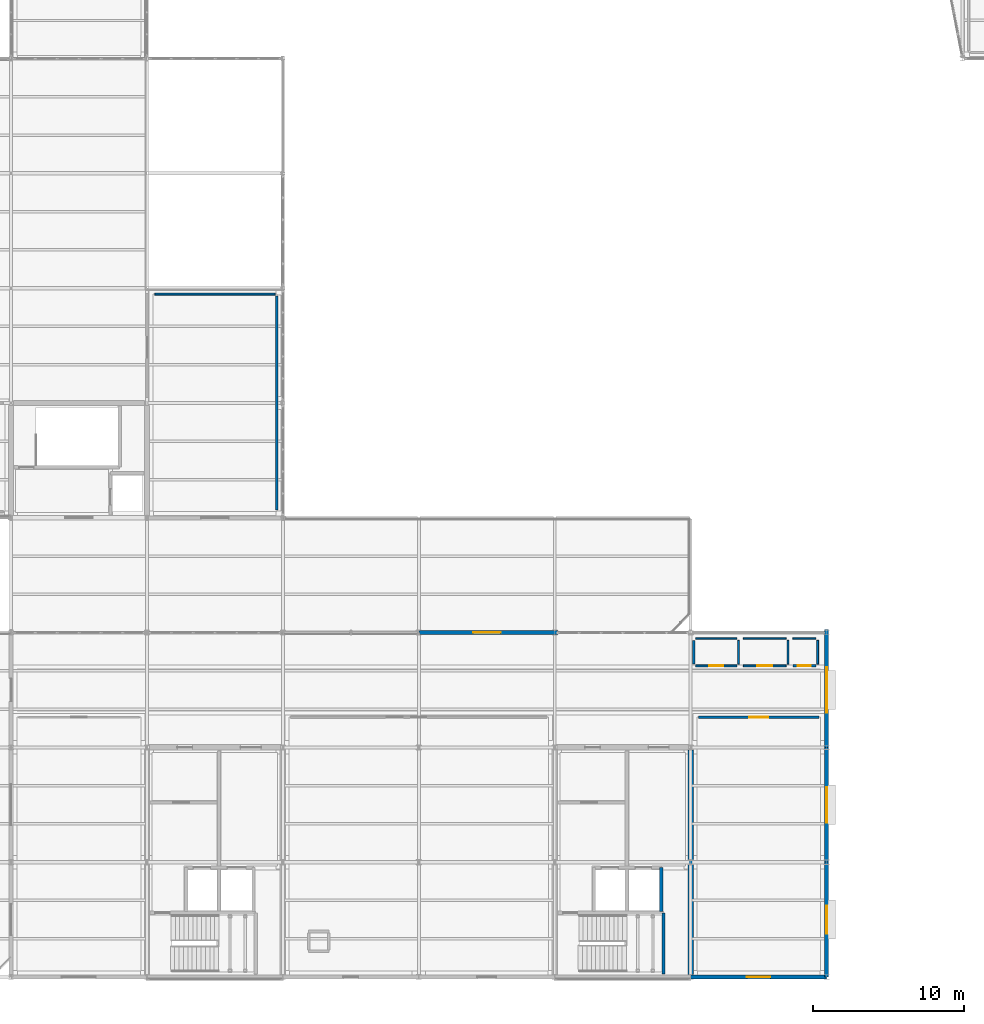
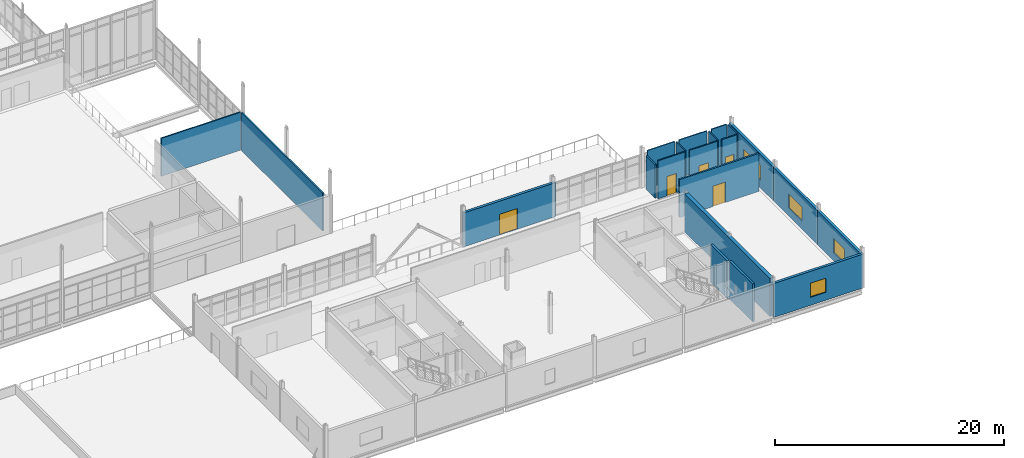
# One storey, part 153 of 166: 21 walls, 5 doors, 4 windows, 9 openings.
"""IFC4 building model written with IfcOpenShell, lengths in metres."""

from ifc_helpers import new_model, si_unit, direction, frame, frame_2d, origin, place, context, subcontext, project, spatial, rectangle, extrude, material, layer, layer_set, type_object, element, fill, save


model = new_model("IFC4")

# Units and contexts
model_context = context("Model", 3, precision=1e-05, world=origin(), true_north=direction((0.0, 1.0)))
body_context = subcontext(model_context, "Body", "Model", "MODEL_VIEW")
ifc_project = project(units=[si_unit("LENGTHUNIT", "METRE"), si_unit("AREAUNIT", "SQUARE_METRE"), si_unit("VOLUMEUNIT", "CUBIC_METRE"), si_unit("PLANEANGLEUNIT", "RADIAN"), si_unit("MASSUNIT", "GRAM", prefix="KILO")], contexts=[model_context])

# Site, building, storey
site_placement = place(None, origin())
site = spatial("IfcSite", under=ifc_project, at=site_placement, CompositionType="ELEMENT")
building_placement = place(site_placement, origin())
building = spatial("IfcBuilding", under=site, at=building_placement, Name="Caisbarro Railhouse Central Library", CompositionType="ELEMENT")
storey_placement = place(building_placement, frame((0.0, 0.0, 9.360107421875)))
storey = spatial("IfcBuildingStorey", under=building, at=storey_placement, Name="L02", CompositionType="ELEMENT", Elevation=9.360107421875)

# Wall
ifc_material_1 = material(Name="Concrete C40", Category="concrete")
ifc_layer_1 = layer(ifc_material_1, 0.35009765625, Name="Concrete C40")
ifc_layer_set_1 = layer_set([ifc_layer_1], Name="Concrete C40")
wall_type_1 = type_object("IfcWallType", Name="WAL-CW35", PredefinedType="SHEAR", material=ifc_layer_set_1)
wall_1_placement = place(storey_placement, frame((99.0, 0.159912109375, 0.0), z_axis=(0.0, 0.0, 1.0), x_axis=(0.0, 1.0, 0.0)))
element("IfcWall", 1, at=wall_1_placement, inside=storey, type_object=wall_type_1, Name="CW35 RC core shear wall L02 #31", PredefinedType="SHEAR", context=body_context, shape_type="SweptSolid", body=[
    extrude(rectangle(XDim=14.880126953125, YDim=0.35009765625, at=frame_2d((7.43994140625, 0.0))), origin(), (0.0, 0.0, 1.0), 4.039794921875),
])

# Wall, opening, door
ifc_material_2 = material(Name="Concrete C35 insulated architectural precast", Category="concrete")
ifc_layer_2 = layer(ifc_material_2, 0.260009765625, Name="Concrete C35 insulated architectural precast")
ifc_layer_set_2 = layer_set([ifc_layer_2], Name="Concrete C35 insulated architectural precast")
wall_type_2 = type_object("IfcWallType", Name="WAL-EW26", PredefinedType="STANDARD", material=ifc_layer_set_2)
wall_2_placement = place(storey_placement, frame((81.0, 22.800048828125, 0.0), z_axis=(0.0, 0.0, 1.0), x_axis=(1.0, 0.0, 0.0)))
wall_2 = element("IfcWall", 2, at=wall_2_placement, inside=storey, type_object=wall_type_2, Name="EW26 exterior wall L02 #96", PredefinedType="STANDARD", context=body_context, shape_type="SweptSolid", body=[
    extrude(rectangle(XDim=9.2099609375, YDim=0.260009765625, at=frame_2d((4.60498046875, 0.0))), origin(), (0.0, 0.0, 1.0), 3.61083984375),
])
opening_1_placement = place(wall_2_placement, frame((3.590087890625, 0.0, 0.0)))
opening_1 = element("IfcOpeningElement", 3, at=opening_1_placement, cuts=wall_2, Name="Opening TD01", PredefinedType="OPENING", context=body_context, shape_type="SweptSolid", body=[
    extrude(rectangle(XDim=1.820068359375, YDim=2.199951171875, at=frame_2d((0.91015625, 1.10009765625))), frame((0.0, 0.14013671875, 0.0), z_axis=(0.0, -1.0, 0.0), x_axis=(1.0, 0.0, 0.0)), (0.0, 0.0, 1.0), 0.280029296875),
])
ifc_material_3 = material(Name="Thermally broken anodised aluminium and safety glass", Category="aluminium")
door_type_1 = type_object("IfcDoorType", Name="DR-TD01", OperationType="NOTDEFINED", PredefinedType="DOOR", material=ifc_material_3)
door_1_placement = place(opening_1_placement, origin())
door_1 = element("IfcDoor", 4, at=door_1_placement, inside=storey, type_object=door_type_1, Name="Terrace Door TD01 L02-21", OperationType="SINGLE_SWING_RIGHT", OverallHeight=2.199951171875, OverallWidth=1.820068359375, PredefinedType="DOOR", context=body_context, shape_type="SweptSolid", body=[
    extrude(rectangle(XDim=1.820068359375, YDim=2.199951171875, at=frame_2d((0.91015625, 1.10009765625))), frame((0.0, 0.02490234375, 0.0), z_axis=(0.0, -1.0, 0.0), x_axis=(1.0, 0.0, 0.0)), (0.0, 0.0, 1.0), 0.050048828125),
])
fill(opening_1, door_1)

# Wall, opening, window
wall_3_placement = place(storey_placement, frame((99.0, 0.0, 0.0), z_axis=(0.0, 0.0, 1.0), x_axis=(1.0, 0.0, 0.0)))
wall_3 = element("IfcWall", 5, at=wall_3_placement, inside=storey, type_object=wall_type_2, Name="EW26 exterior wall L02 #98", PredefinedType="STANDARD", context=body_context, shape_type="SweptSolid", body=[
    extrude(rectangle(XDim=9.0, YDim=0.260009765625, at=frame_2d((4.5, 0.0))), origin(), (0.0, 0.0, 1.0), 3.61083984375),
])
opening_2_placement = place(wall_3_placement, frame((3.72509765625, 0.0, 0.85009765625)))
opening_2 = element("IfcOpeningElement", 6, at=opening_2_placement, cuts=wall_3, Name="Opening W22", PredefinedType="OPENING", context=body_context, shape_type="SweptSolid", body=[
    extrude(rectangle(XDim=1.550048828125, YDim=1.5, at=frame_2d((0.77490234375, 0.75))), frame((0.0, 0.14013671875, 0.0), z_axis=(0.0, -1.0, 0.0), x_axis=(1.0, 0.0, 0.0)), (0.0, 0.0, 1.0), 0.280029296875),
])
ifc_material_4 = material(Name="Double low-e laminated solar-control glass", Category="glass")
window_type_1 = type_object("IfcWindowType", Name="WIN-W22", PartitioningType="SINGLE_PANEL", PredefinedType="WINDOW", material=ifc_material_4)
window_1_placement = place(opening_2_placement, origin())
window_1 = element("IfcWindow", 7, at=window_1_placement, inside=storey, type_object=window_type_1, Name="W22 window L02-021", OverallHeight=1.5, OverallWidth=1.550048828125, PartitioningType="SINGLE_PANEL", PredefinedType="WINDOW", context=body_context, shape_type="SweptSolid", body=[
    extrude(rectangle(XDim=1.550048828125, YDim=1.5, at=frame_2d((0.77490234375, 0.75))), frame((0.0, 0.030029296875, 0.0), z_axis=(0.0, -1.0, 0.0), x_axis=(1.0, 0.0, 0.0)), (0.0, 0.0, 1.0), 0.06005859375),
])
fill(opening_2, window_1)

wall_4_placement = place(storey_placement, frame((108.0, 0.0, 0.0), z_axis=(0.0, 0.0, 1.0), x_axis=(0.0, 1.0, 0.0)))
wall_4 = element("IfcWall", 8, at=wall_4_placement, inside=storey, type_object=wall_type_2, Name="EW26 exterior wall L02 #99", PredefinedType="STANDARD", context=body_context, shape_type="SweptSolid", body=[
    extrude(rectangle(XDim=7.60009765625, YDim=0.260009765625, at=frame_2d((3.800048828125, 0.0))), origin(), (0.0, 0.0, 1.0), 3.598876953125),
])
opening_3_placement = place(wall_4_placement, frame((2.875, 0.0, 0.85009765625)))
opening_3 = element("IfcOpeningElement", 9, at=opening_3_placement, cuts=wall_4, Name="Opening W23", PredefinedType="OPENING", context=body_context, shape_type="SweptSolid", body=[
    extrude(rectangle(XDim=1.85009765625, YDim=1.5, at=frame_2d((0.925048828125, 0.75))), frame((0.0, 0.14013671875, 0.0), z_axis=(0.0, -1.0, 0.0), x_axis=(1.0, 0.0, 0.0)), (0.0, 0.0, 1.0), 0.280029296875),
])
window_type_2 = type_object("IfcWindowType", Name="WIN-W23", PartitioningType="SINGLE_PANEL", PredefinedType="WINDOW", material=ifc_material_4)
window_2_placement = place(opening_3_placement, origin())
window_2 = element("IfcWindow", 10, at=window_2_placement, inside=storey, type_object=window_type_2, Name="W23 window L02-022", OverallHeight=1.5, OverallWidth=1.85009765625, PartitioningType="SINGLE_PANEL", PredefinedType="WINDOW", context=body_context, shape_type="SweptSolid", body=[
    extrude(rectangle(XDim=1.85009765625, YDim=1.5, at=frame_2d((0.925048828125, 0.75))), frame((0.0, 0.030029296875, 0.0), z_axis=(0.0, -1.0, 0.0), x_axis=(1.0, 0.0, 0.0)), (0.0, 0.0, 1.0), 0.06005859375),
])
fill(opening_3, window_2)

wall_5_placement = place(storey_placement, frame((108.0, 7.60009765625, 0.0), z_axis=(0.0, 0.0, 1.0), x_axis=(0.0, 1.0, 0.0)))
wall_5 = element("IfcWall", 11, at=wall_5_placement, inside=storey, type_object=wall_type_2, Name="EW26 exterior wall L02 #101", PredefinedType="STANDARD", context=body_context, shape_type="SweptSolid", body=[
    extrude(rectangle(XDim=7.599853515625, YDim=0.260009765625, at=frame_2d((3.7998046875, 0.0))), origin(), (0.0, 0.0, 1.0), 3.598876953125),
])
opening_4_placement = place(wall_5_placement, frame((2.625, 0.0, 0.85009765625)))
opening_4 = element("IfcOpeningElement", 12, at=opening_4_placement, cuts=wall_5, Name="Opening W25", PredefinedType="OPENING", context=body_context, shape_type="SweptSolid", body=[
    extrude(rectangle(XDim=2.35009765625, YDim=1.5, at=frame_2d((1.175048828125, 0.75))), frame((0.0, 0.14013671875, 0.0), z_axis=(0.0, -1.0, 0.0), x_axis=(1.0, 0.0, 0.0)), (0.0, 0.0, 1.0), 0.280029296875),
])
window_type_3 = type_object("IfcWindowType", Name="WIN-W25", PartitioningType="SINGLE_PANEL", PredefinedType="WINDOW", material=ifc_material_4)
window_3_placement = place(opening_4_placement, origin())
window_3 = element("IfcWindow", 13, at=window_3_placement, inside=storey, type_object=window_type_3, Name="W25 window L02-024", OverallHeight=1.5, OverallWidth=2.35009765625, PartitioningType="SINGLE_PANEL", PredefinedType="WINDOW", context=body_context, shape_type="SweptSolid", body=[
    extrude(rectangle(XDim=2.35009765625, YDim=1.5, at=frame_2d((1.175048828125, 0.75))), frame((0.0, 0.030029296875, 0.0), z_axis=(0.0, -1.0, 0.0), x_axis=(1.0, 0.0, 0.0)), (0.0, 0.0, 1.0), 0.06005859375),
])
fill(opening_4, window_3)

wall_6_placement = place(storey_placement, frame((108.0, 15.199951171875, 0.0), z_axis=(0.0, 0.0, 1.0), x_axis=(0.0, 1.0, 0.0)))
wall_6 = element("IfcWall", 14, at=wall_6_placement, inside=storey, type_object=wall_type_2, Name="EW26 exterior wall L02 #103", PredefinedType="STANDARD", context=body_context, shape_type="SweptSolid", body=[
    extrude(rectangle(XDim=7.81005859375, YDim=0.260009765625, at=frame_2d((3.905029296875, 0.0))), origin(), (0.0, 0.0, 1.0), 3.598876953125),
])
opening_5_placement = place(wall_6_placement, frame((2.300048828125, 0.0, 0.85009765625)))
opening_5 = element("IfcOpeningElement", 15, at=opening_5_placement, cuts=wall_6, Name="Opening W27", PredefinedType="OPENING", context=body_context, shape_type="SweptSolid", body=[
    extrude(rectangle(XDim=3.0, YDim=1.5, at=frame_2d((1.5, 0.75))), frame((0.0, 0.14013671875, 0.0), z_axis=(0.0, -1.0, 0.0), x_axis=(1.0, 0.0, 0.0)), (0.0, 0.0, 1.0), 0.280029296875),
])
window_type_4 = type_object("IfcWindowType", Name="WIN-W27", PartitioningType="SINGLE_PANEL", PredefinedType="WINDOW", material=ifc_material_4)
window_4_placement = place(opening_5_placement, origin())
window_4 = element("IfcWindow", 16, at=window_4_placement, inside=storey, type_object=window_type_4, Name="W27 window L02-026", OverallHeight=1.5, OverallWidth=3.0, PartitioningType="SINGLE_PANEL", PredefinedType="WINDOW", context=body_context, shape_type="SweptSolid", body=[
    extrude(rectangle(XDim=3.0, YDim=1.5, at=frame_2d((1.5, 0.75))), frame((0.0, 0.030029296875, 0.0), z_axis=(0.0, -1.0, 0.0), x_axis=(1.0, 0.0, 0.0)), (0.0, 0.0, 1.0), 0.06005859375),
])
fill(opening_5, window_4)

# Walls
ifc_material_5 = material(Name="Acoustic gypsum board on galvanised steel studs", Category="steel")
ifc_layer_3 = layer(ifc_material_5, 0.090087890625, Name="Acoustic gypsum board on galvanised steel studs")
ifc_layer_set_3 = layer_set([ifc_layer_3], Name="Acoustic gypsum board on galvanised steel studs")
wall_type_3 = type_object("IfcWallType", Name="WAL-IW09", PredefinedType="PARTITIONING", material=ifc_layer_set_3)
wall_7_placement = place(storey_placement, frame((99.320068359375, 22.39990234375, 0.0), z_axis=(0.0, 0.0, 1.0), x_axis=(1.0, 0.0, 0.0)))
element("IfcWall", 17, at=wall_7_placement, inside=storey, type_object=wall_type_3, Name="IW09 partition wall L02 #483", PredefinedType="PARTITIONING", context=body_context, shape_type="SweptSolid", body=[
    extrude(rectangle(XDim=2.72802734375, YDim=0.090087890625, at=frame_2d((1.364013671875, 0.0))), origin(), (0.0, 0.0, 1.0), 4.039794921875),
])
wall_8_placement = place(storey_placement, frame((102.488037109375, 22.39990234375, 0.0), z_axis=(0.0, 0.0, 1.0), x_axis=(1.0, 0.0, 0.0)))
element("IfcWall", 18, at=wall_8_placement, inside=storey, type_object=wall_type_3, Name="IW09 partition wall L02 #487", PredefinedType="PARTITIONING", context=body_context, shape_type="SweptSolid", body=[
    extrude(rectangle(XDim=2.827880859375, YDim=0.090087890625, at=frame_2d((1.4140625, 0.0))), origin(), (0.0, 0.0, 1.0), 4.039794921875),
])
ifc_layer_4 = layer(ifc_material_5, 0.110107421875, Name="Acoustic gypsum board on galvanised steel studs")
ifc_layer_set_4 = layer_set([ifc_layer_4], Name="Acoustic gypsum board on galvanised steel studs")
wall_type_4 = type_object("IfcWallType", Name="WAL-IW11", PredefinedType="PARTITIONING", material=ifc_layer_set_4)
for number, where, z_axis, x_axis, name in (
    (19, (102.16796875, 20.719970703125, 0.0), (0.0, 0.0, 1.0), (0.0, 1.0, 0.0), "IW11 partition wall L02 #482"),
    (20, (105.43603515625, 20.719970703125, 0.0), (0.0, 0.0, 1.0), (0.0, 1.0, 0.0), "IW11 partition wall L02 #486"),
):
    element("IfcWall", number, at=place(storey_placement, frame(where, z_axis=z_axis, x_axis=x_axis)), inside=storey, type_object=wall_type_4, Name=name, PredefinedType="PARTITIONING", context=body_context, shape_type="SweptSolid", body=[
        extrude(rectangle(XDim=1.56005859375, YDim=0.110107421875, at=frame_2d((0.780029296875, 0.0))), origin(), (0.0, 0.0, 1.0), 4.039794921875),
    ])
wall_9_placement = place(storey_placement, frame((105.756103515625, 22.39990234375, 0.0), z_axis=(0.0, 0.0, 1.0), x_axis=(1.0, 0.0, 0.0)))
element("IfcWall", 21, at=wall_9_placement, inside=storey, type_object=wall_type_4, Name="IW11 partition wall L02 #490", PredefinedType="PARTITIONING", context=body_context, shape_type="SweptSolid", body=[
    extrude(rectangle(XDim=1.52392578125, YDim=0.110107421875, at=frame_2d((0.761962890625, 0.0))), origin(), (0.0, 0.0, 1.0), 4.039794921875),
])
ifc_layer_5 = layer(ifc_material_5, 0.1298828125, Name="Acoustic gypsum board on galvanised steel studs")
ifc_layer_set_5 = layer_set([ifc_layer_5], Name="Acoustic gypsum board on galvanised steel studs")
wall_type_5 = type_object("IfcWallType", Name="WAL-IW13", PredefinedType="PARTITIONING", material=ifc_layer_set_5)
wall_10_placement = place(storey_placement, frame((63.52001953125, 45.199951171875, 0.0), z_axis=(0.0, 0.0, 1.0), x_axis=(1.0, 0.0, 0.0)))
element("IfcWall", 22, at=wall_10_placement, inside=storey, type_object=wall_type_5, Name="IW13 partition wall L02 #477", PredefinedType="PARTITIONING", context=body_context, shape_type="SweptSolid", body=[
    extrude(rectangle(XDim=7.9599609375, YDim=0.1298828125, at=frame_2d((3.97998046875, 0.0))), origin(), (0.0, 0.0, 1.0), 4.039794921875),
])

# Wall, opening, door
wall_11_placement = place(storey_placement, frame((99.320068359375, 20.60009765625, 0.0), z_axis=(0.0, 0.0, 1.0), x_axis=(1.0, 0.0, 0.0)))
wall_11 = element("IfcWall", 23, at=wall_11_placement, inside=storey, type_object=wall_type_5, Name="IW13 partition wall L02 #481", PredefinedType="PARTITIONING", context=body_context, shape_type="SweptSolid", body=[
    extrude(rectangle(XDim=2.72802734375, YDim=0.1298828125, at=frame_2d((1.364013671875, 0.0))), origin(), (0.0, 0.0, 1.0), 4.039794921875),
])
opening_6_placement = place(wall_11_placement, frame((0.89404296875, 0.0, 0.0)))
opening_6 = element("IfcOpeningElement", 24, at=opening_6_placement, cuts=wall_11, Name="Opening ID03", PredefinedType="OPENING", context=body_context, shape_type="SweptSolid", body=[
    extrude(rectangle(XDim=0.93994140625, YDim=2.06005859375, at=frame_2d((0.469970703125, 1.030029296875))), frame((0.0, 0.074951171875, 0.0), z_axis=(0.0, -1.0, 0.0), x_axis=(1.0, 0.0, 0.0)), (0.0, 0.0, 1.0), 0.14990234375),
])
ifc_material_6 = material(Name="Solid-core tropical hardwood veneer", Category="wood")
door_type_2 = type_object("IfcDoorType", Name="DR-ID03", OperationType="NOTDEFINED", PredefinedType="DOOR", material=ifc_material_6)
door_2_placement = place(opening_6_placement, origin())
door_2 = element("IfcDoor", 25, at=door_2_placement, inside=storey, type_object=door_type_2, Name="Male WC L02-V5 Door ID03 L02-282", OperationType="SINGLE_SWING_RIGHT", OverallHeight=2.06005859375, OverallWidth=0.93994140625, PredefinedType="DOOR", context=body_context, shape_type="SweptSolid", body=[
    extrude(rectangle(XDim=0.93994140625, YDim=2.06005859375, at=frame_2d((0.469970703125, 1.030029296875))), frame((0.0, 0.02490234375, 0.0), z_axis=(0.0, -1.0, 0.0), x_axis=(1.0, 0.0, 0.0)), (0.0, 0.0, 1.0), 0.050048828125),
])
fill(opening_6, door_2)

wall_12_placement = place(storey_placement, frame((102.488037109375, 20.60009765625, 0.0), z_axis=(0.0, 0.0, 1.0), x_axis=(1.0, 0.0, 0.0)))
wall_12 = element("IfcWall", 26, at=wall_12_placement, inside=storey, type_object=wall_type_5, Name="IW13 partition wall L02 #485", PredefinedType="PARTITIONING", context=body_context, shape_type="SweptSolid", body=[
    extrude(rectangle(XDim=2.827880859375, YDim=0.1298828125, at=frame_2d((1.4140625, 0.0))), origin(), (0.0, 0.0, 1.0), 4.039794921875),
])
opening_7_placement = place(wall_12_placement, frame((0.924072265625, 0.0, 0.0)))
opening_7 = element("IfcOpeningElement", 27, at=opening_7_placement, cuts=wall_12, Name="Opening ID04", PredefinedType="OPENING", context=body_context, shape_type="SweptSolid", body=[
    extrude(rectangle(XDim=0.97998046875, YDim=2.06005859375, at=frame_2d((0.489990234375, 1.030029296875))), frame((0.0, 0.074951171875, 0.0), z_axis=(0.0, -1.0, 0.0), x_axis=(1.0, 0.0, 0.0)), (0.0, 0.0, 1.0), 0.14990234375),
])
door_type_3 = type_object("IfcDoorType", Name="DR-ID04", OperationType="NOTDEFINED", PredefinedType="DOOR", material=ifc_material_6)
door_3_placement = place(opening_7_placement, origin())
door_3 = element("IfcDoor", 28, at=door_3_placement, inside=storey, type_object=door_type_3, Name="Female WC L02-V5 Door ID04 L02-283", OperationType="SINGLE_SWING_LEFT", OverallHeight=2.06005859375, OverallWidth=0.97998046875, PredefinedType="DOOR", context=body_context, shape_type="SweptSolid", body=[
    extrude(rectangle(XDim=0.97998046875, YDim=2.06005859375, at=frame_2d((0.489990234375, 1.030029296875))), frame((0.0, 0.02490234375, 0.0), z_axis=(0.0, -1.0, 0.0), x_axis=(1.0, 0.0, 0.0)), (0.0, 0.0, 1.0), 0.050048828125),
])
fill(opening_7, door_3)

# Walls
wall_13_placement = place(storey_placement, frame((107.39990234375, 20.719970703125, 0.0), z_axis=(0.0, 0.0, 1.0), x_axis=(0.0, 1.0, 0.0)))
element("IfcWall", 29, at=wall_13_placement, inside=storey, type_object=wall_type_5, Name="IW13 partition wall L02 #489", PredefinedType="PARTITIONING", context=body_context, shape_type="SweptSolid", body=[
    extrude(rectangle(XDim=1.56005859375, YDim=0.1298828125, at=frame_2d((0.780029296875, 0.0))), origin(), (0.0, 0.0, 1.0), 4.039794921875),
])
ifc_layer_6 = layer(ifc_material_5, 0.14990234375, Name="Acoustic gypsum board on galvanised steel studs")
ifc_layer_set_6 = layer_set([ifc_layer_6], Name="Acoustic gypsum board on galvanised steel studs")
wall_type_6 = type_object("IfcWallType", Name="WAL-IW15", PredefinedType="PARTITIONING", material=ifc_layer_set_6)
wall_14_placement = place(storey_placement, frame((71.60009765625, 30.919921875, 0.0), z_axis=(0.0, 0.0, 1.0), x_axis=(0.0, 1.0, 0.0)))
element("IfcWall", 30, at=wall_14_placement, inside=storey, type_object=wall_type_6, Name="IW15 partition wall L02 #476", PredefinedType="PARTITIONING", context=body_context, shape_type="SweptSolid", body=[
    extrude(rectangle(XDim=14.16015625, YDim=0.14990234375, at=frame_2d((7.080078125, 0.0))), origin(), (0.0, 0.0, 1.0), 4.039794921875),
])
wall_15_placement = place(storey_placement, frame((99.199951171875, 20.719970703125, 0.0), z_axis=(0.0, 0.0, 1.0), x_axis=(0.0, 1.0, 0.0)))
element("IfcWall", 31, at=wall_15_placement, inside=storey, type_object=wall_type_6, Name="IW15 partition wall L02 #484", PredefinedType="PARTITIONING", context=body_context, shape_type="SweptSolid", body=[
    extrude(rectangle(XDim=1.56005859375, YDim=0.14990234375, at=frame_2d((0.780029296875, 0.0))), origin(), (0.0, 0.0, 1.0), 3.598876953125),
])

# Wall, opening, door
wall_16_placement = place(storey_placement, frame((105.756103515625, 20.60009765625, 0.0), z_axis=(0.0, 0.0, 1.0), x_axis=(1.0, 0.0, 0.0)))
wall_16 = element("IfcWall", 32, at=wall_16_placement, inside=storey, type_object=wall_type_6, Name="IW15 partition wall L02 #488", PredefinedType="PARTITIONING", context=body_context, shape_type="SweptSolid", body=[
    extrude(rectangle(XDim=1.52392578125, YDim=0.14990234375, at=frame_2d((0.761962890625, 0.0))), origin(), (0.0, 0.0, 1.0), 4.039794921875),
])
opening_8_placement = place(wall_16_placement, frame((0.33203125, 0.0, 0.0)))
opening_8 = element("IfcOpeningElement", 33, at=opening_8_placement, cuts=wall_16, Name="Opening ID01", PredefinedType="OPENING", context=body_context, shape_type="SweptSolid", body=[
    extrude(rectangle(XDim=0.860107421875, YDim=2.06005859375, at=frame_2d((0.43017578125, 1.030029296875))), frame((0.0, 0.0849609375, 0.0), z_axis=(0.0, -1.0, 0.0), x_axis=(1.0, 0.0, 0.0)), (0.0, 0.0, 1.0), 0.169921875),
])
door_type_4 = type_object("IfcDoorType", Name="DR-ID01", OperationType="NOTDEFINED", PredefinedType="DOOR", material=ifc_material_6)
door_4_placement = place(opening_8_placement, origin())
door_4 = element("IfcDoor", 34, at=door_4_placement, inside=storey, type_object=door_type_4, Name="Accessible WC L02-V5 Door ID01 L02-284", OperationType="SINGLE_SWING_RIGHT", OverallHeight=2.06005859375, OverallWidth=0.860107421875, PredefinedType="DOOR", context=body_context, shape_type="SweptSolid", body=[
    extrude(rectangle(XDim=0.860107421875, YDim=2.06005859375, at=frame_2d((0.43017578125, 1.030029296875))), frame((0.0, 0.02490234375, 0.0), z_axis=(0.0, -1.0, 0.0), x_axis=(1.0, 0.0, 0.0)), (0.0, 0.0, 1.0), 0.050048828125),
])
fill(opening_8, door_4)

ifc_material_7 = material(Name="Plastered cellular concrete masonry", Category="masonry")
ifc_layer_7 = layer(ifc_material_7, 0.169921875, Name="Plastered cellular concrete masonry")
ifc_layer_set_7 = layer_set([ifc_layer_7], Name="Plastered cellular concrete masonry")
wall_type_7 = type_object("IfcWallType", Name="WAL-IW17", PredefinedType="PARTITIONING", material=ifc_layer_set_7)
wall_17_placement = place(storey_placement, frame((99.52001953125, 17.199951171875, 0.0), z_axis=(0.0, 0.0, 1.0), x_axis=(1.0, 0.0, 0.0)))
wall_17 = element("IfcWall", 35, at=wall_17_placement, inside=storey, type_object=wall_type_7, Name="IW17 partition wall L02 #480", PredefinedType="PARTITIONING", context=body_context, shape_type="SweptSolid", body=[
    extrude(rectangle(XDim=7.9599609375, YDim=0.169921875, at=frame_2d((3.97998046875, 0.0))), origin(), (0.0, 0.0, 1.0), 4.039794921875),
])
opening_9_placement = place(wall_17_placement, frame((3.35498046875, 0.0, 0.0)))
opening_9 = element("IfcOpeningElement", 36, at=opening_9_placement, cuts=wall_17, Name="Opening FD04", PredefinedType="OPENING", context=body_context, shape_type="SweptSolid", body=[
    extrude(rectangle(XDim=1.25, YDim=2.179931640625, at=frame_2d((0.625, 1.08984375))), frame((0.0, 0.094970703125, 0.0), z_axis=(0.0, -1.0, 0.0), x_axis=(1.0, 0.0, 0.0)), (0.0, 0.0, 1.0), 0.18994140625),
])
ifc_material_8 = material(Name="Fire-rated painted galvanised steel", Category="steel")
door_type_5 = type_object("IfcDoorType", Name="DR-FD04", OperationType="NOTDEFINED", PredefinedType="DOOR", material=ifc_material_8)
door_5_placement = place(opening_9_placement, origin())
door_5 = element("IfcDoor", 37, at=door_5_placement, inside=storey, type_object=door_type_5, Name="Patent and Standards Archive Door FD04 L02-281", OperationType="SINGLE_SWING_LEFT", OverallHeight=2.179931640625, OverallWidth=1.25, PredefinedType="DOOR", context=body_context, shape_type="SweptSolid", body=[
    extrude(rectangle(XDim=1.25, YDim=2.179931640625, at=frame_2d((0.625, 1.08984375))), frame((0.0, 0.02490234375, 0.0), z_axis=(0.0, -1.0, 0.0), x_axis=(1.0, 0.0, 0.0)), (0.0, 0.0, 1.0), 0.050048828125),
])
fill(opening_9, door_5)

# Walls
ifc_layer_8 = layer(ifc_material_1, 0.2099609375, Name="Concrete C40")
ifc_layer_set_8 = layer_set([ifc_layer_8], Name="Concrete C40")
wall_type_8 = type_object("IfcWallType", Name="WAL-SW21", PredefinedType="SOLIDWALL", material=ifc_layer_set_8)
wall_18_placement = place(storey_placement, frame((97.199951171875, 0.199951171875, 0.0), z_axis=(0.0, 0.0, 1.0), x_axis=(0.0, 1.0, 0.0)))
element("IfcWall", 38, at=wall_18_placement, inside=storey, type_object=wall_type_8, Name="SW21 core shaft wall L02 #72", PredefinedType="SOLIDWALL", context=body_context, shape_type="SweptSolid", body=[
    extrude(rectangle(XDim=4.050048828125, YDim=0.2099609375, at=frame_2d((2.02490234375, 0.0))), origin(), (0.0, 0.0, 1.0), 4.039794921875),
])
wall_19_placement = place(storey_placement, frame((97.050048828125, 4.35009765625, 0.0), z_axis=(0.0, 0.0, 1.0), x_axis=(0.0, 1.0, 0.0)))
element("IfcWall", 39, at=wall_19_placement, inside=storey, type_object=wall_type_8, Name="SW21 core shaft wall L02 #75", PredefinedType="SOLIDWALL", context=body_context, shape_type="SweptSolid", body=[
    extrude(rectangle(XDim=2.89990234375, YDim=0.2099609375, at=frame_2d((1.449951171875, 0.0))), origin(), (0.0, 0.0, 1.0), 4.039794921875),
])

save(model, "model.ifc")
